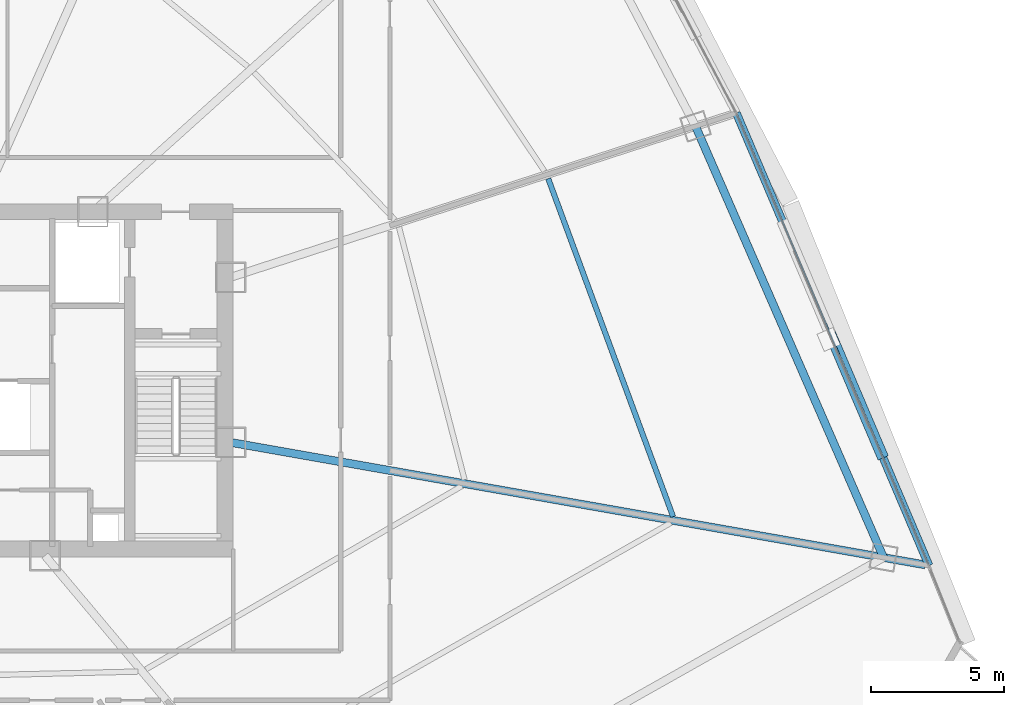
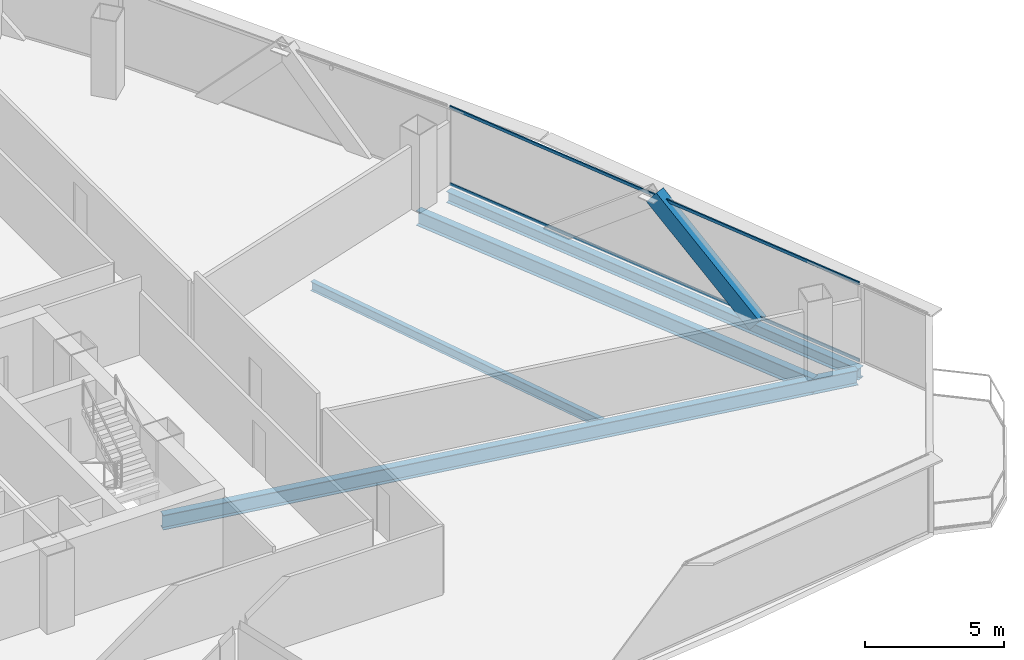
# One storey, part 25 of 39: 4 beams, 3 members, 1 element without a shape of its own.
"""IFC4 building model written with IfcOpenShell, lengths in metres."""

from ifc_helpers import new_model, si_unit, direction, frame, origin, origin_2d, place, context, subcontext, project, spatial, hollow_rectangle, i_section, extrude, source, transform, mapped, material, layer, layer_set, material_profile, profile_set, type_object, element, aggregate, save


model = new_model("IFC4")

# Units and contexts
model_context = context("Model", 3, precision=1e-05, world=origin(), true_north=direction((0.0, 1.0)))
body_context = subcontext(model_context, "Body", "Model", "MODEL_VIEW")
ifc_project = project(units=[si_unit("LENGTHUNIT", "METRE"), si_unit("AREAUNIT", "SQUARE_METRE"), si_unit("VOLUMEUNIT", "CUBIC_METRE"), si_unit("PLANEANGLEUNIT", "RADIAN"), si_unit("MASSUNIT", "GRAM", prefix="KILO"), si_unit("THERMODYNAMICTEMPERATUREUNIT", "KELVIN"), si_unit("POWERUNIT", "WATT")], contexts=[model_context])

# Site, building, storey
site_placement = place(None, origin())
site = spatial("IfcSite", under=ifc_project, at=site_placement, CompositionType="ELEMENT")
building_placement = place(site_placement, origin())
building = spatial("IfcBuilding", under=site, at=building_placement, Name="Yunzhuo Pagoda Commons", CompositionType="ELEMENT")
storey_placement = place(building_placement, frame((0.0, 0.0, 148.22998046875)))
storey = spatial("IfcBuildingStorey", under=building, at=storey_placement, Name="L37", CompositionType="ELEMENT", Elevation=148.22998046875)

# Beams
ifc_material_1 = material(Name="Structural steel Q355B", Category="steel")
ifc_material_profile_1 = material_profile(ifc_material_1, i_section(OverallWidth=0.300048828125, OverallDepth=0.64990234375, WebThickness=0.012939453125, FlangeThickness=0.02197265625, at=origin_2d()), Name="Structural steel Q355B")
ifc_profile_set_1 = profile_set([ifc_material_profile_1], Name="Structural steel Q355B")
beam_type_1 = type_object("IfcBeamType", Name="B-RG2 Beam HN 650x300x13x22", PredefinedType="BEAM", material=ifc_profile_set_1)
shared_shape_1 = source(origin(), body_context, "Body", "SweptSolid", [
    extrude(i_section(OverallWidth=0.300048828125, OverallDepth=0.64990234375, WebThickness=0.012939453125, FlangeThickness=0.02197265625, at=origin_2d()), origin(), (0.0, 0.0, 1.0), 17.72021484375),
])
beam_1_placement = place(storey_placement, frame((84.9970703125, 27.176513671875, -0.584716796875), z_axis=(-0.399643307961, 0.916670729544, 0.0), x_axis=(-0.916670729544, -0.399643307961, 0.0)))
element("IfcBeam", 1, at=beam_1_placement, inside=storey, type_object=beam_type_1, Name="L37 column-ring beam 5", PredefinedType="BEAM", context=body_context, shape_type="MappedRepresentation", body=[
    mapped(shared_shape_1, transform((0.0, 0.0, 0.0), scale=1.0)),
])
ifc_material_profile_2 = material_profile(ifc_material_1, i_section(OverallWidth=0.199951171875, OverallDepth=0.39990234375, WebThickness=0.008056640625, FlangeThickness=0.012939453125, at=origin_2d()), Name="Structural steel Q355B")
ifc_profile_set_2 = profile_set([ifc_material_profile_2], Name="Structural steel Q355B")
beam_type_2 = type_object("IfcBeamType", Name="B-JS1 Joist HN 400x200x8x13", PredefinedType="JOIST", material=ifc_profile_set_2)
shared_shape_2 = source(origin(), body_context, "Body", "SweptSolid", [
    extrude(i_section(OverallWidth=0.199951171875, OverallDepth=0.39990234375, WebThickness=0.008056640625, FlangeThickness=0.012939453125, at=origin_2d()), origin(), (0.0, 0.0, 1.0), 13.57763671875),
])
beam_2_placement = place(storey_placement, frame((77.07080078125, 28.71337890625, -0.459716796875), z_axis=(-0.346531829181, 0.938038214235, 0.0), x_axis=(-0.938038214235, -0.346531829181, 0.0)))
element("IfcBeam", 2, at=beam_2_placement, inside=storey, type_object=beam_type_2, Name="L37 composite ring joist 2.5", PredefinedType="JOIST", context=body_context, shape_type="MappedRepresentation", body=[
    mapped(shared_shape_2, transform((0.0, 0.0, 0.0), scale=1.0)),
])
shared_shape_3 = source(origin(), body_context, "Body", "SweptSolid", [
    extrude(i_section(OverallWidth=0.300048828125, OverallDepth=0.64990234375, WebThickness=0.012939453125, FlangeThickness=0.02197265625, at=origin_2d()), origin(), (0.0, 0.0, 1.0), 26.560302734375),
])
beam_3_placement = place(storey_placement, frame((86.556640625, 26.901611328125, -0.584716796875), z_axis=(-0.98480982797, 0.173636409587, 0.0), x_axis=(-0.173636409587, -0.98480982797, 0.0)))
element("IfcBeam", 3, at=beam_3_placement, inside=storey, type_object=beam_type_1, Name="L37 radial floor girder F2C1", PredefinedType="BEAM", context=body_context, shape_type="MappedRepresentation", body=[
    mapped(shared_shape_3, transform((0.0, 0.0, 0.0), scale=1.0)),
])
ifc_material_profile_3 = material_profile(ifc_material_1, i_section(OverallWidth=0.300048828125, OverallDepth=0.488037109375, WebThickness=0.010986328125, FlangeThickness=0.01806640625, at=origin_2d()), Name="Structural steel Q355B")
ifc_profile_set_3 = profile_set([ifc_material_profile_3], Name="Structural steel Q355B")
beam_type_3 = type_object("IfcBeamType", Name="B-SP1 Beam HM 488x300x11x18", PredefinedType="BEAM", material=ifc_profile_set_3)
shared_shape_4 = source(origin(), body_context, "Body", "SweptSolid", [
    extrude(i_section(OverallWidth=0.300048828125, OverallDepth=0.488037109375, WebThickness=0.010986328125, FlangeThickness=0.01806640625, at=origin_2d()), origin(), (0.0, 0.0, 1.0), 18.525634765625),
])
beam_4_placement = place(storey_placement, frame((86.708984375, 26.87451171875, -0.50390625), z_axis=(-0.391745555192, 0.920073594876, 0.0), x_axis=(-0.920073594876, -0.391745555192, 0.0)))
element("IfcBeam", 4, at=beam_4_placement, inside=storey, type_object=beam_type_3, Name="L37 facade edge spandrel beam F2.1", PredefinedType="BEAM", context=body_context, shape_type="MappedRepresentation", body=[
    mapped(shared_shape_4, transform((0.0, 0.0, 0.0), scale=1.0)),
])

# Member
ifc_material_2 = material(Name="Structural steel Q420B", Category="steel")
ifc_material_profile_4 = material_profile(ifc_material_2, hollow_rectangle(XDim=0.419921875, YDim=0.719970703125, WallThickness=0.028076171875, at=origin_2d()), Name="Structural steel Q420B")
ifc_profile_set_4 = profile_set([ifc_material_profile_4], Name="Structural steel Q420B")
member_type_1 = type_object("IfcMemberType", Name="M-DL1 Brace BOX 720x420x28", PredefinedType="BRACE", material=ifc_profile_set_4)
shared_shape_5 = source(origin(), body_context, "Body", "SweptSolid", [
    extrude(hollow_rectangle(XDim=0.419921875, YDim=0.719970703125, WallThickness=0.028076171875, at=origin_2d()), origin(), (0.0, 0.0, 1.0), 5.91552734375),
])
member_1_placement = place(storey_placement, frame((84.894775390625, 31.1357421875, -0.260009765625), z_axis=(-0.306732639421, 0.720359457542, 0.622091102528), x_axis=(-0.920064094689, -0.391767867064, 0.0)))
element("IfcMember", 5, at=member_1_placement, inside=storey, type_object=member_type_1, Name="L37 facade diamond brace F2.1L", PredefinedType="BRACE", context=body_context, shape_type="MappedRepresentation", body=[
    mapped(shared_shape_5, transform((0.0, 0.0, 0.0), scale=1.0)),
])

# Curtain wall, members
ifc_material_3 = material(Name="Anodized aluminium 6063-T6", Category="aluminium")
ifc_layer = layer(ifc_material_3, 0.14990234375)
ifc_layer_set = layer_set([ifc_layer], Name="Anodized aluminium 6063-T6")
curtain_wall_type = type_object("IfcCurtainWallType", Name="CW-MID Mid-Zone Ribbon Curtain Wall", PredefinedType="NOTDEFINED", material=ifc_layer_set)
curtain_wall_placement = place(storey_placement, origin())
curtain_wall = element("IfcCurtainWall", 6, at=curtain_wall_placement, inside=storey, type_object=curtain_wall_type, Name="L37 curtain wall CW-L37-F2B2", PredefinedType="NOTDEFINED")
ifc_material_profile_5 = material_profile(ifc_material_3, hollow_rectangle(XDim=0.054931640625, YDim=0.1298828125, WallThickness=0.00341796875, at=origin_2d()), Name="Anodized aluminium 6063-T6")
ifc_profile_set_5 = profile_set([ifc_material_profile_5], Name="Anodized aluminium 6063-T6")
member_type_2 = type_object("IfcMemberType", Name="CW-MID-T Transom RHS 130x55x3.5", PredefinedType="USERDEFINED", material=ifc_profile_set_5)
shared_shape_6 = source(origin(), body_context, "Body", "SweptSolid", [
    extrude(hollow_rectangle(XDim=0.054931640625, YDim=0.1298828125, WallThickness=0.00341796875, at=origin_2d()), origin(), (0.0, 0.0, 1.0), 18.4052734375),
])
member_2_placement = place(storey_placement, frame((86.685546875, 26.929931640625, 0.027587890625), z_axis=(-0.391760180447, 0.920067367651, 0.0), x_axis=(-0.920067367651, -0.391760180447, 0.0)))
member_2 = element("IfcMember", 7, at=member_2_placement, type_object=member_type_2, Name="CW transom 1.1", ObjectType="TRANSOM", PredefinedType="USERDEFINED", context=body_context, shape_type="MappedRepresentation", body=[
    mapped(shared_shape_6, transform((0.0, 0.0, 0.0), scale=1.0)),
])
member_3_placement = place(storey_placement, frame((86.685546875, 26.929931640625, 3.392578125), z_axis=(-0.391760180447, 0.920067367651, 0.0), x_axis=(-0.920067367651, -0.391760180447, 0.0)))
member_3 = element("IfcMember", 8, at=member_3_placement, type_object=member_type_2, Name="CW transom 1.2", ObjectType="TRANSOM", PredefinedType="USERDEFINED", context=body_context, shape_type="MappedRepresentation", body=[
    mapped(shared_shape_6, transform((0.0, 0.0, 0.0), scale=1.0)),
])
aggregate(curtain_wall, [member_2, member_3])

save(model, "model.ifc")
